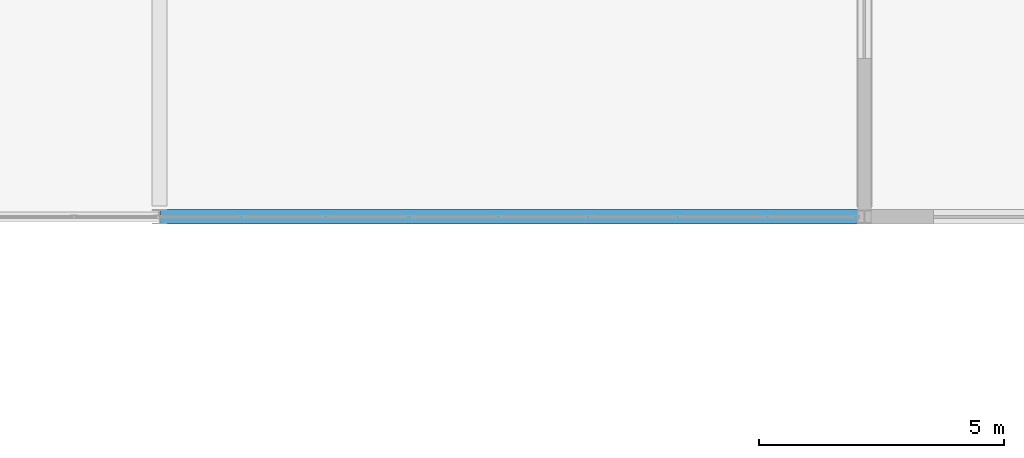
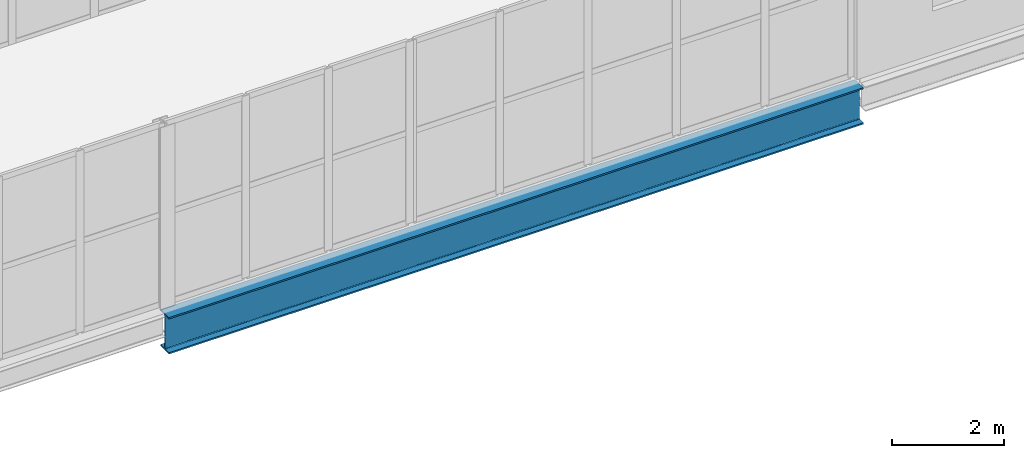
# One storey, part 64 of 138: 1 beam.
"""IFC4 building model written with IfcOpenShell, lengths in metres."""

from ifc_helpers import new_model, si_unit, direction, frame, origin, origin_2d, place, context, subcontext, project, spatial, i_section, extrude, material, material_profile, profile_set, type_object, element, save


model = new_model("IFC4")

# Units and contexts
model_context = context("Model", 3, precision=1e-05, world=origin(), true_north=direction((0.0, 1.0)))
body_context = subcontext(model_context, "Body", "Model", "MODEL_VIEW")
ifc_project = project(units=[si_unit("LENGTHUNIT", "METRE"), si_unit("AREAUNIT", "SQUARE_METRE"), si_unit("VOLUMEUNIT", "CUBIC_METRE"), si_unit("PLANEANGLEUNIT", "RADIAN"), si_unit("MASSUNIT", "GRAM", prefix="KILO")], contexts=[model_context])

# Site, building, storey
site_placement = place(None, origin())
site = spatial("IfcSite", under=ifc_project, at=site_placement, CompositionType="ELEMENT")
building_placement = place(site_placement, origin())
building = spatial("IfcBuilding", under=site, at=building_placement, Name="Vinh Khe Railworks Police Headquarters", CompositionType="ELEMENT")
storey_placement = place(building_placement, frame((0.0, 0.0, 9.0)))
storey = spatial("IfcBuildingStorey", under=building, at=storey_placement, Name="L02", CompositionType="ELEMENT", Elevation=9.0)

# Beam
ifc_material = material(Name="Steel S355JR", Category="steel")
ifc_material_profile = material_profile(ifc_material, i_section(OverallWidth=0.300048828125, OverallDepth=0.800048828125, WebThickness=0.017578125, FlangeThickness=0.032958984375, FilletRadius=0.030029296875, at=origin_2d()), Name="HEB 800")
ifc_profile_set = profile_set([ifc_material_profile], Name="Steel S355JR")
beam_type = type_object("IfcBeamType", Name="Steel Girder HEB 800", PredefinedType="BEAM", material=ifc_profile_set)
beam_placement = place(storey_placement, frame((63.6201171875, 96.0, -0.6201171875), z_axis=(1.0, 0.0, 0.0), x_axis=(0.0, 1.0, 0.0)))
element("IfcBeam", 1, at=beam_placement, inside=storey, type_object=beam_type, Name="Girder BM-L02-EW-SB-01-0811", PredefinedType="BEAM", context=body_context, shape_type="SweptSolid", body=[
    extrude(i_section(OverallWidth=0.300048828125, OverallDepth=0.800048828125, WebThickness=0.017578125, FlangeThickness=0.032958984375, FilletRadius=0.030029296875, at=origin_2d()), origin(), (0.0, 0.0, 1.0), 14.35986328125),
])

save(model, "model.ifc")
